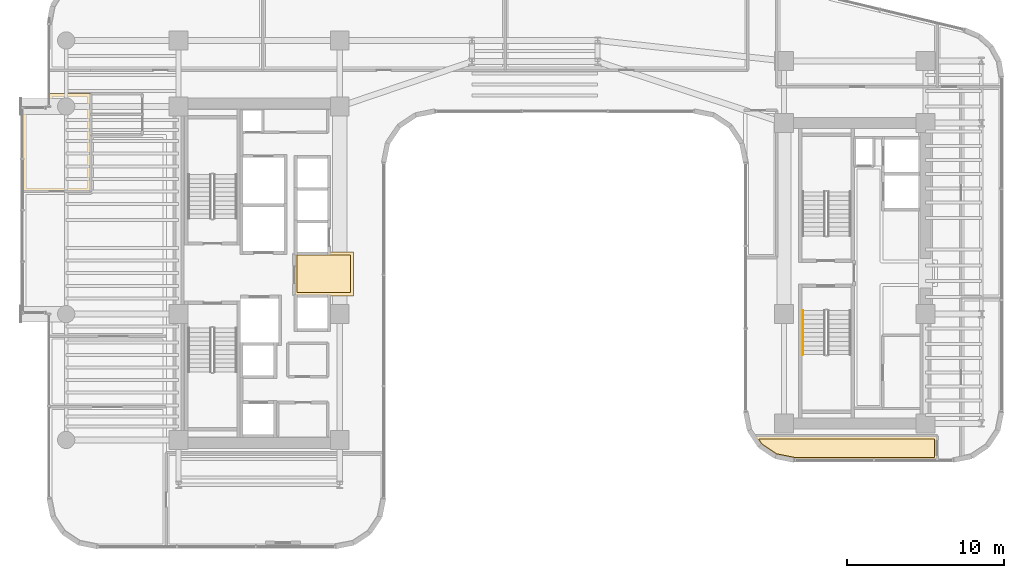
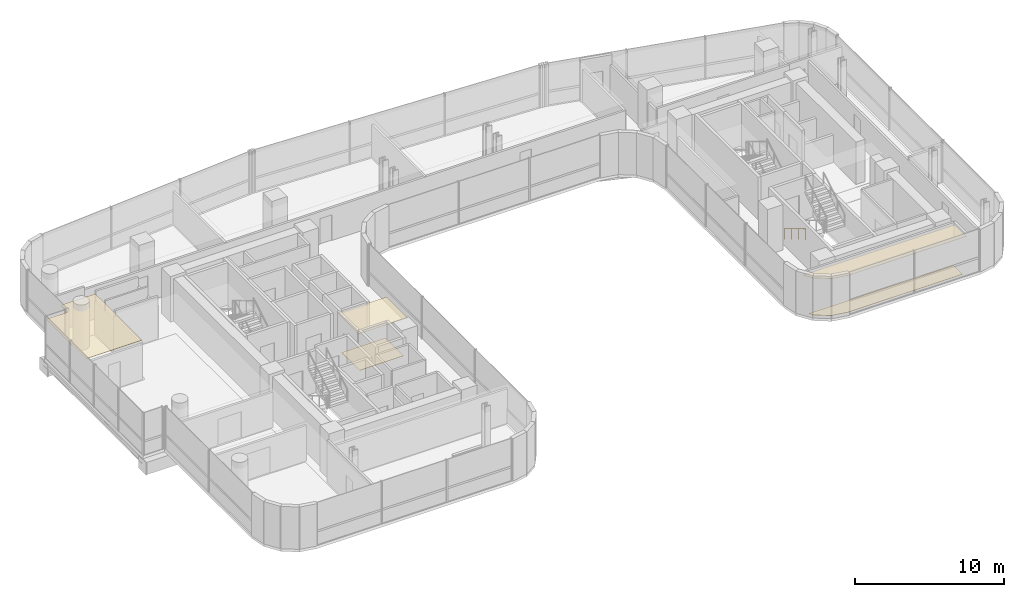
# One storey, part 32 of 34: 5 coverings, 1 railing.
"""IFC4 building model written with IfcOpenShell, lengths in metres."""

from ifc_helpers import new_model, si_unit, direction, frame, origin, origin_2d, place, context, subcontext, project, spatial, polyline, circle, outline, extrude, material, layer, layer_set, type_object, element, save


model = new_model("IFC4")

# Units and contexts
model_context = context("Model", 3, precision=1e-05, world=origin(), true_north=direction((0.0, 1.0)))
body_context = subcontext(model_context, "Body", "Model", "MODEL_VIEW")
ifc_project = project(units=[si_unit("LENGTHUNIT", "METRE"), si_unit("AREAUNIT", "SQUARE_METRE"), si_unit("VOLUMEUNIT", "CUBIC_METRE"), si_unit("PLANEANGLEUNIT", "RADIAN"), si_unit("MASSUNIT", "GRAM", prefix="KILO")], contexts=[model_context])

# Site, building, storey
site_placement = place(None, origin())
site = spatial("IfcSite", under=ifc_project, at=site_placement, CompositionType="ELEMENT")
building_placement = place(site_placement, origin())
building = spatial("IfcBuilding", under=site, at=building_placement, Name="Valdorenza Pilgrim Sanctuary Tower", CompositionType="ELEMENT")
storey_placement = place(building_placement, frame((0.0, 0.0, 142.699951171875)))
storey = spatial("IfcBuildingStorey", under=building, at=storey_placement, Name="L36", CompositionType="ELEMENT", Elevation=142.699951171875)

# Coverings
ifc_material_1 = material(Name="Micro-perforated acoustic mineral ceiling tile", Category="gypsum")
ifc_layer_1 = layer(ifc_material_1, 0.02490234375, Name="Micro-perforated acoustic mineral ceiling tile")
ifc_layer_set_1 = layer_set([ifc_layer_1], Name="Micro-perforated acoustic mineral ceiling tile")
covering_type_1 = type_object("IfcCoveringType", Name="COV-CLG-ACU", PredefinedType="CEILING", material=ifc_layer_set_1)
covering_1_placement = place(storey_placement, frame((0.0, 0.0, 3.16015625)))
element("IfcCovering", 1, at=covering_1_placement, inside=storey, type_object=covering_type_1, Name="L36 Core A Passenger Lift Lobby Acoustic Ceiling", PredefinedType="CEILING", context=body_context, shape_type="SweptSolid", body=[
    extrude(outline(polyline([(-15.31298828125, 1.244384765625), (-15.31298828125, 1.24462890625), (-15.313720703125, 1.24609375), (-15.314208984375, 1.24755859375), (-15.314697265625, 1.2490234375), (-15.31494140625, 1.25048828125), (-15.31494140625, 1.251953125), (-15.31494140625, 1.35009765625), (-15.31494140625, 1.3515625), (-15.314697265625, 1.352783203125), (-15.314453125, 1.3544921875), (-15.31396484375, 1.355712890625), (-15.313232421875, 1.357177734375), (-15.3125, 1.3583984375), (-15.3115234375, 1.359619140625), (-15.310546875, 1.360595703125), (-15.3095703125, 1.361572265625), (-15.308349609375, 1.362548828125), (-15.30712890625, 1.36328125), (-15.3056640625, 1.364013671875), (-15.304443359375, 1.364501953125), (-15.302978515625, 1.36474609375), (-15.301513671875, 1.364990234375), (-15.300048828125, 1.364990234375), (-15.10205078125, 1.364990234375), (-15.1005859375, 1.364990234375), (-15.09912109375, 1.36474609375), (-15.097412109375, 1.3642578125), (-15.09619140625, 1.36376953125), (-15.0947265625, 1.363037109375), (-15.094482421875, 1.363037109375), (-13.185546875, 1.363037109375), (-13.185302734375, 1.363037109375), (-13.183837890625, 1.36376953125), (-13.1826171875, 1.3642578125), (-13.180908203125, 1.36474609375), (-13.179443359375, 1.364990234375), (-13.177978515625, 1.364990234375), (-11.550048828125, 1.364990234375), (-11.548583984375, 1.364990234375), (-11.547119140625, 1.36474609375), (-11.545654296875, 1.364501953125), (-11.544189453125, 1.364013671875), (-11.54296875, 1.36328125), (-11.541748046875, 1.362548828125), (-11.54052734375, 1.361572265625), (-11.539306640625, 1.360595703125), (-11.538330078125, 1.359619140625), (-11.53759765625, 1.3583984375), (-11.536865234375, 1.357177734375), (-11.5361328125, 1.355712890625), (-11.53564453125, 1.3544921875), (-11.535400390625, 1.352783203125), (-11.53515625, 1.3515625), (-11.534912109375, 1.35009765625), (-11.534912109375, -1.419921875), (-11.53515625, -1.42138671875), (-11.535400390625, -1.4228515625), (-11.53564453125, -1.42431640625), (-11.5361328125, -1.42578125), (-11.536865234375, -1.427001953125), (-11.53759765625, -1.42822265625), (-11.538330078125, -1.429443359375), (-11.539306640625, -1.4306640625), (-11.54052734375, -1.431640625), (-11.541748046875, -1.4326171875), (-11.54296875, -1.43310546875), (-11.544189453125, -1.433837890625), (-11.545654296875, -1.434326171875), (-11.547119140625, -1.434814453125), (-11.548583984375, -1.434814453125), (-11.550048828125, -1.43505859375), (-15.298095703125, -1.43505859375), (-15.299560546875, -1.434814453125), (-15.30078125, -1.434814453125), (-15.302490234375, -1.434326171875), (-15.3037109375, -1.433837890625), (-15.30517578125, -1.43310546875), (-15.306396484375, -1.4326171875), (-15.3076171875, -1.431640625), (-15.30859375, -1.4306640625), (-15.3095703125, -1.429443359375), (-15.310546875, -1.42822265625), (-15.311279296875, -1.427001953125), (-15.31201171875, -1.42578125), (-15.3125, -1.42431640625), (-15.312744140625, -1.4228515625), (-15.31298828125, -1.42138671875), (-15.31298828125, -1.419921875), (-15.31298828125, 1.244384765625)])), origin(), (0.0, 0.0, 1.0), 0.02490234375),
])
covering_2_placement = place(storey_placement, frame((0.0, 0.0, 3.16015625)))
element("IfcCovering", 2, at=covering_2_placement, inside=storey, type_object=covering_type_1, Name="L36 North Contemplation Lounge L36 Acoustic Ceiling", PredefinedType="CEILING", context=body_context, shape_type="SweptSolid", body=[
    extrude(outline(polyline([(-28.237060546875, 8.805419921875), (-28.23681640625, 8.805419921875), (-28.236083984375, 8.803955078125), (-28.235595703125, 8.802490234375), (-28.2353515625, 8.801025390625), (-28.235107421875, 8.799560546875), (-28.235107421875, 8.798095703125), (-28.235107421875, 5.199951171875), (-28.235107421875, 5.198486328125), (-28.2353515625, 5.197021484375), (-28.235595703125, 5.195556640625), (-28.236083984375, 5.1943359375), (-28.23681640625, 5.19287109375), (-28.237548828125, 5.191650390625), (-28.23828125, 5.1904296875), (-28.239501953125, 5.189453125), (-28.240478515625, 5.1884765625), (-28.24169921875, 5.1875), (-28.242919921875, 5.186767578125), (-28.244384765625, 5.18603515625), (-28.24560546875, 5.185546875), (-28.2470703125, 5.185302734375), (-28.24853515625, 5.18505859375), (-28.25, 5.18505859375), (-32.5400390625, 5.18505859375), (-32.54150390625, 5.18505859375), (-32.54296875, 5.185302734375), (-32.54443359375, 5.185546875), (-32.545654296875, 5.18603515625), (-32.547119140625, 5.186767578125), (-32.54833984375, 5.1875), (-32.549560546875, 5.1884765625), (-32.550537109375, 5.189453125), (-32.551513671875, 5.1904296875), (-32.552490234375, 5.191650390625), (-32.55322265625, 5.19287109375), (-32.553955078125, 5.1943359375), (-32.554443359375, 5.195556640625), (-32.5546875, 5.197021484375), (-32.554931640625, 5.198486328125), (-32.554931640625, 5.199951171875), (-32.554931640625, 10.489990234375), (-32.554931640625, 10.491455078125), (-32.5546875, 10.492919921875), (-32.554443359375, 10.494384765625), (-32.553955078125, 10.49560546875), (-32.55322265625, 10.4970703125), (-32.552490234375, 10.498291015625), (-32.551513671875, 10.49951171875), (-32.550537109375, 10.50048828125), (-32.549560546875, 10.501708984375), (-32.54833984375, 10.50244140625), (-32.547119140625, 10.503173828125), (-32.545654296875, 10.50390625), (-32.54443359375, 10.50439453125), (-32.54296875, 10.504638671875), (-32.54150390625, 10.5048828125), (-32.5400390625, 10.5048828125), (-31.00048828125, 10.5048828125), (-30.99072265625, 10.505615234375), (-30.9814453125, 10.5068359375), (-30.972412109375, 10.509033203125), (-30.963623046875, 10.51220703125), (-30.955078125, 10.51611328125), (-30.947265625, 10.52099609375), (-30.939697265625, 10.526611328125), (-30.932861328125, 10.53271484375), (-30.926513671875, 10.539794921875), (-30.9208984375, 10.547119140625), (-30.916259765625, 10.55517578125), (-30.912109375, 10.563720703125), (-30.9091796875, 10.572509765625), (-30.90673828125, 10.58154296875), (-30.905517578125, 10.5908203125), (-30.905029296875, 10.600341796875), (-30.905029296875, 11.419921875), (-30.90478515625, 11.42138671875), (-30.90478515625, 11.4228515625), (-30.904296875, 11.42431640625), (-30.90380859375, 11.42578125), (-30.9033203125, 11.427001953125), (-30.902587890625, 11.42822265625), (-30.901611328125, 11.429443359375), (-30.900634765625, 11.4306640625), (-30.8994140625, 11.431640625), (-30.898193359375, 11.4326171875), (-30.897216796875, 11.43310546875), (-30.895751953125, 11.433837890625), (-30.894287109375, 11.434326171875), (-30.892822265625, 11.434814453125), (-30.8916015625, 11.434814453125), (-30.889892578125, 11.43505859375), (-28.25, 11.43505859375), (-28.24853515625, 11.434814453125), (-28.2470703125, 11.434814453125), (-28.24560546875, 11.434326171875), (-28.244384765625, 11.433837890625), (-28.242919921875, 11.43310546875), (-28.24169921875, 11.4326171875), (-28.240478515625, 11.431640625), (-28.239501953125, 11.4306640625), (-28.23828125, 11.429443359375), (-28.237548828125, 11.42822265625), (-28.23681640625, 11.427001953125), (-28.236083984375, 11.42578125), (-28.235595703125, 11.42431640625), (-28.2353515625, 11.4228515625), (-28.235107421875, 11.42138671875), (-28.235107421875, 11.419921875), (-28.235107421875, 11.402099609375), (-28.235107421875, 11.400390625), (-28.2353515625, 11.39892578125), (-28.235595703125, 11.3974609375), (-28.236083984375, 11.39599609375), (-28.23681640625, 11.394775390625), (-28.237060546875, 11.39453125), (-28.237060546875, 10.103759765625), (-28.23681640625, 10.10302734375), (-28.23681640625, 10.1015625), (-28.23681640625, 10.10009765625), (-28.23681640625, 10.098388671875), (-28.237060546875, 10.09814453125), (-28.237060546875, 8.805419921875)])), origin(), (0.0, 0.0, 1.0), 0.02490234375),
])
covering_3_placement = place(storey_placement, frame((0.0, 0.0, 3.16015625)))
element("IfcCovering", 3, at=covering_3_placement, inside=storey, type_object=covering_type_1, Name="L36 Sacred Manuscript Archive L36-BS Acoustic Ceiling", PredefinedType="CEILING", context=body_context, shape_type="SweptSolid", body=[
    extrude(outline(polyline([(25.614990234375, -11.889892578125), (25.614990234375, -11.8916015625), (25.61474609375, -11.892822265625), (25.614501953125, -11.894287109375), (25.614013671875, -11.895751953125), (25.61328125, -11.897216796875), (25.612548828125, -11.898193359375), (25.611572265625, -11.8994140625), (25.610595703125, -11.900634765625), (25.609619140625, -11.901611328125), (25.6083984375, -11.902587890625), (25.607177734375, -11.9033203125), (25.605712890625, -11.90380859375), (25.6044921875, -11.904296875), (25.602783203125, -11.90478515625), (25.6015625, -11.90478515625), (25.60009765625, -11.905029296875), (16.5107421875, -11.905029296875), (16.509521484375, -11.90478515625), (16.5078125, -11.90478515625), (15.3154296875, -11.66748046875), (15.31396484375, -11.6669921875), (15.3125, -11.66650390625), (15.311279296875, -11.666015625), (15.31005859375, -11.665283203125), (14.308349609375, -10.995849609375), (14.30712890625, -10.9951171875), (14.305908203125, -10.993896484375), (14.304931640625, -10.992919921875), (14.30419921875, -10.99169921875), (13.880859375, -10.3583984375), (13.880126953125, -10.357177734375), (13.87939453125, -10.355712890625), (13.87890625, -10.3544921875), (13.878662109375, -10.352783203125), (13.87841796875, -10.3515625), (13.87841796875, -10.35009765625), (13.87841796875, -10.348388671875), (13.878662109375, -10.34716796875), (13.87890625, -10.345703125), (13.87939453125, -10.34423828125), (13.880126953125, -10.343017578125), (13.880859375, -10.341796875), (13.881591796875, -10.340576171875), (13.8828125, -10.33935546875), (13.8837890625, -10.33837890625), (13.885009765625, -10.33740234375), (13.88623046875, -10.3369140625), (13.8876953125, -10.336181640625), (13.888916015625, -10.335693359375), (13.890380859375, -10.335205078125), (13.891845703125, -10.335205078125), (13.893310546875, -10.3349609375), (25.60009765625, -10.3349609375), (25.6015625, -10.335205078125), (25.602783203125, -10.335205078125), (25.6044921875, -10.335693359375), (25.605712890625, -10.336181640625), (25.607177734375, -10.3369140625), (25.6083984375, -10.33740234375), (25.609619140625, -10.33837890625), (25.610595703125, -10.33935546875), (25.611572265625, -10.340576171875), (25.612548828125, -10.341796875), (25.61328125, -10.343017578125), (25.614013671875, -10.34423828125), (25.614501953125, -10.345703125), (25.61474609375, -10.34716796875), (25.614990234375, -10.348388671875), (25.614990234375, -10.35009765625), (25.614990234375, -11.889892578125)])), origin(), (0.0, 0.0, 1.0), 0.02490234375),
])
ifc_material_2 = material(Name="Honed travertine stone flooring", Category="masonry")
ifc_layer_2 = layer(ifc_material_2, 0.030029296875, Name="Honed travertine stone flooring")
ifc_layer_set_2 = layer_set([ifc_layer_2], Name="Honed travertine stone flooring")
covering_type_2 = type_object("IfcCoveringType", Name="COV-FLR-TRV", PredefinedType="FLOORING", material=ifc_layer_set_2)
covering_4_placement = place(storey_placement, origin())
element("IfcCovering", 4, at=covering_4_placement, inside=storey, type_object=covering_type_2, Name="L36 Core A Passenger Lift Lobby Flooring", PredefinedType="FLOORING", context=body_context, shape_type="SweptSolid", body=[
    extrude(outline(polyline([(-15.117919921875, 1.169189453125), (-15.10888671875, 1.168212890625), (-15.10888671875, 1.168212890625), (-15.10009765625, 1.16796875), (-13.179931640625, 1.16796875), (-13.1796875, 1.16796875), (-11.72998046875, 1.169921875), (-11.72998046875, -1.239990234375), (-15.117919921875, -1.239990234375), (-15.117919921875, 1.169189453125)])), origin(), (0.0, 0.0, 1.0), 0.025146484375),
])
covering_5_placement = place(storey_placement, origin())
element("IfcCovering", 5, at=covering_5_placement, inside=storey, type_object=covering_type_2, Name="L36 Sacred Manuscript Archive L36-BS Flooring", PredefinedType="FLOORING", context=body_context, shape_type="SweptSolid", body=[
    extrude(outline(polyline([(25.419921875, -11.7099609375), (16.528564453125, -11.7099609375), (15.388671875, -11.483154296875), (14.4462890625, -10.853515625), (14.22998046875, -10.530029296875), (25.419921875, -10.530029296875), (25.419921875, -11.7099609375)])), origin(), (0.0, 0.0, 1.0), 0.025146484375),
])

# Railing
ifc_material_3 = material(Name="Brushed stainless steel Grade 316", Category="steel")
railing_type = type_object("IfcRailingType", Name="RLG-HND-920", PredefinedType="HANDRAIL", material=ifc_material_3)
railing_placement = place(storey_placement, frame((17.050048828125, -2.3798828125, 0.168212890625)))
element("IfcRailing", 6, at=railing_placement, inside=storey, type_object=railing_type, Name="L36 ST-B2 stair handrail 1", PredefinedType="HANDRAIL", context=body_context, shape_type="SweptSolid", body=[
    extrude(circle(Radius=0.02392578125, at=origin_2d()), frame((0.0, 0.0, 0.8759765625), z_axis=(0.0, -0.857242210791, 0.514913383045), x_axis=(1.0, 0.0, 0.0)), (0.0, 0.0, 1.0), 3.266357421875),
    extrude(circle(Radius=0.02099609375, at=origin_2d()), origin(), (0.0, 0.0, 1.0), 0.851806640625),
    extrude(circle(Radius=0.02099609375, at=origin_2d()), frame((0.0, -0.933349609375, 0.560546875)), (0.0, 0.0, 1.0), 0.851806640625),
    extrude(circle(Radius=0.02099609375, at=origin_2d()), frame((0.0, -1.86669921875, 1.121337890625)), (0.0, 0.0, 1.0), 0.851806640625),
    extrude(circle(Radius=0.02099609375, at=origin_2d()), frame((0.0, -2.800048828125, 1.681884765625)), (0.0, 0.0, 1.0), 0.851806640625),
])

save(model, "model.ifc")
